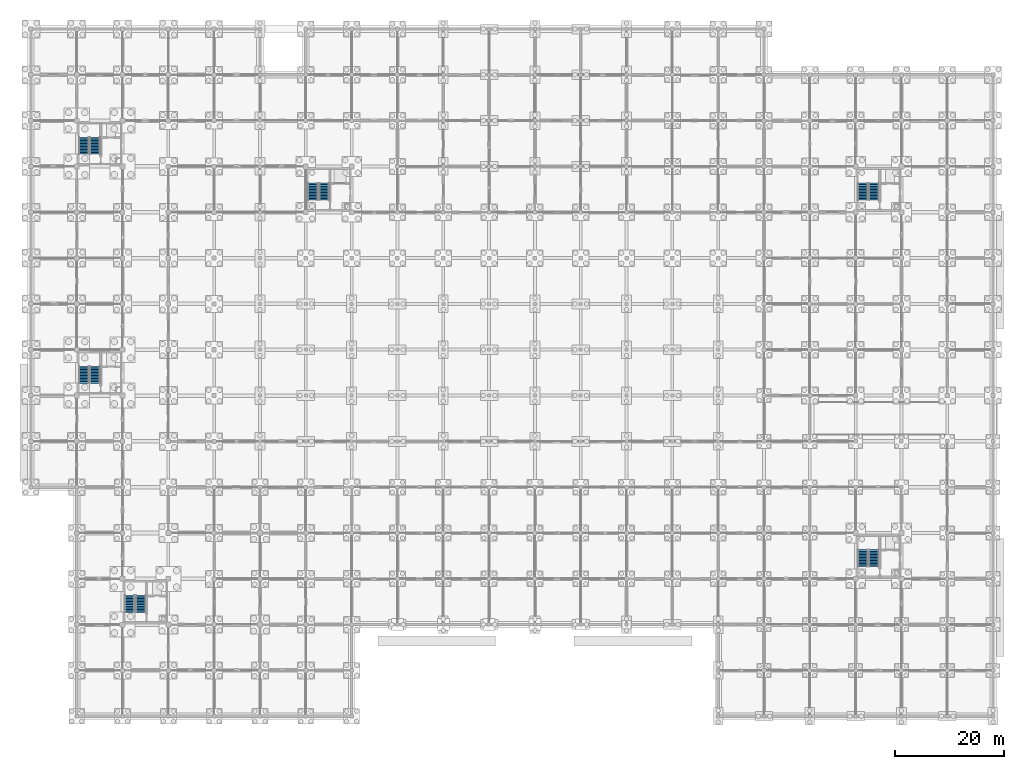
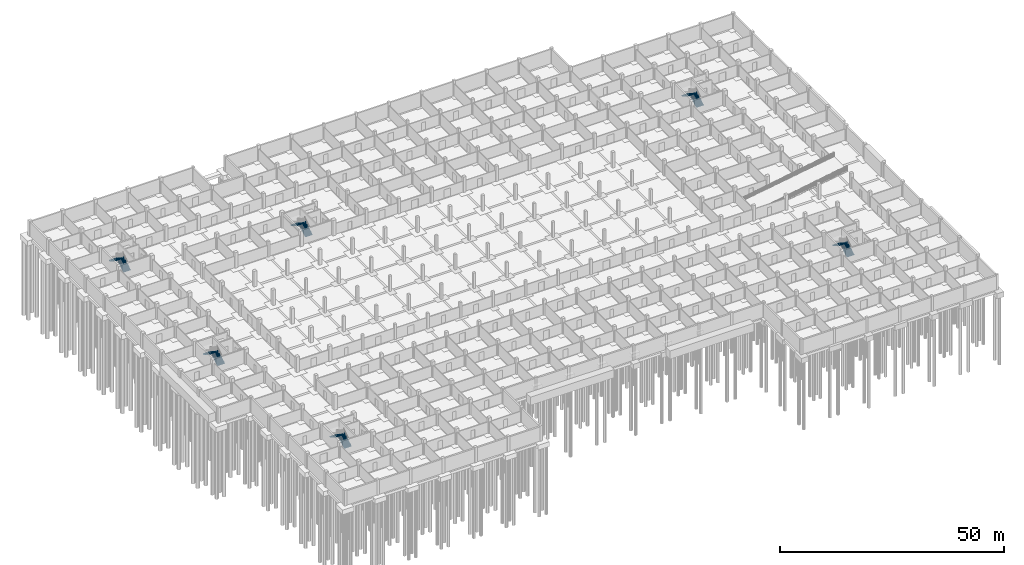
# One storey, part 38 of 43: 12 stair flights, 6 elements without a shape of their own.
"""IFC4 building model written with IfcOpenShell, lengths in metres."""

from ifc_helpers import new_model, si_unit, direction, frame, origin, place, context, subcontext, project, spatial, polyline, outline, extrude, material, type_object, element, aggregate, save


model = new_model("IFC4")

# Units and contexts
model_context = context("Model", 3, precision=1e-05, world=origin(), true_north=direction((0.0, 1.0)))
body_context = subcontext(model_context, "Body", "Model", "MODEL_VIEW")
ifc_project = project(units=[si_unit("LENGTHUNIT", "METRE"), si_unit("AREAUNIT", "SQUARE_METRE"), si_unit("VOLUMEUNIT", "CUBIC_METRE"), si_unit("PLANEANGLEUNIT", "RADIAN"), si_unit("MASSUNIT", "GRAM", prefix="KILO")], contexts=[model_context])

# Site, building, storey
site_placement = place(None, origin())
site = spatial("IfcSite", under=ifc_project, at=site_placement, CompositionType="ELEMENT")
building_placement = place(site_placement, origin())
building = spatial("IfcBuilding", under=site, at=building_placement, Name="Varnapada Polytechnic", CompositionType="ELEMENT")
storey_placement = place(building_placement, frame((0.0, 0.0, -4.199951171875)))
storey = spatial("IfcBuildingStorey", under=building, at=storey_placement, Name="B1", CompositionType="ELEMENT", Elevation=-4.199951171875)

# Stair, stair flights
ifc_material = material(Name="Concrete C40/50", Category="concrete")
stair_type_1 = type_object("IfcStairType", Name="Core Exit Stair ST-A", PredefinedType="HALF_TURN_STAIR", material=ifc_material)
stair_1_placement = place(storey_placement, origin())
stair_1 = element("IfcStair", 1, at=stair_1_placement, inside=storey, type_object=stair_type_1, Name="B1 Core C1 Exit Stair", PredefinedType="HALF_TURN_STAIR")
stair_flight_type = type_object("IfcStairFlightType", Name="Stair Flight SFL-01", PredefinedType="STRAIGHT", material=ifc_material)
stair_flight_1_placement = place(storey_placement, frame((11.77490234375, 103.050048828125, 0.0), z_axis=(0.0, 0.0, 1.0), x_axis=(0.0, 1.0, 0.0)))
stair_flight_1 = element("IfcStairFlight", 2, at=stair_flight_1_placement, type_object=stair_flight_type, Name="ST-1 flight 1", NumberOfRisers=12, NumberOfTreads=11, PredefinedType="STRAIGHT", RiserHeight=0.175, TreadLength=0.28, context=body_context, shape_type="SweptSolid", body=[
    extrude(outline(polyline([(0.0, 0.0), (0.0, 0.175048828125), (0.280029296875, 0.175048828125), (0.280029296875, 0.35009765625), (0.56005859375, 0.35009765625), (0.56005859375, 0.52490234375), (0.840087890625, 0.52490234375), (0.840087890625, 0.699951171875), (1.1201171875, 0.699951171875), (1.1201171875, 0.875), (1.39990234375, 0.875), (1.39990234375, 1.050048828125), (1.679931640625, 1.050048828125), (1.679931640625, 1.22509765625), (1.9599609375, 1.22509765625), (1.9599609375, 1.39990234375), (2.239990234375, 1.39990234375), (2.239990234375, 1.574951171875), (2.52001953125, 1.574951171875), (2.52001953125, 1.75), (2.800048828125, 1.75), (2.800048828125, 1.925048828125), (3.080078125, 1.925048828125), (3.080078125, 2.10009765625), (3.080078125, 1.712890625), (0.339599609375, 0.0), (0.0, 0.0)])), frame((0.0, 0.925048828125, 0.0), z_axis=(0.0, -1.0, 0.0), x_axis=(1.0, 0.0, 0.0)), (0.0, 0.0, 1.0), 1.85009765625),
])
stair_flight_2_placement = place(storey_placement, frame((9.72509765625, 106.1298828125, 2.099853515625), z_axis=(0.0, 0.0, 1.0), x_axis=(0.0, -1.0, 0.0)))
stair_flight_2 = element("IfcStairFlight", 3, at=stair_flight_2_placement, type_object=stair_flight_type, Name="ST-1 flight 2", NumberOfRisers=12, NumberOfTreads=11, PredefinedType="STRAIGHT", RiserHeight=0.175, TreadLength=0.28, context=body_context, shape_type="SweptSolid", body=[
    extrude(outline(polyline([(0.0, 0.0), (0.0, 0.175048828125), (0.280029296875, 0.175048828125), (0.280029296875, 0.35009765625), (0.56005859375, 0.35009765625), (0.56005859375, 0.52490234375), (0.840087890625, 0.52490234375), (0.840087890625, 0.699951171875), (1.1201171875, 0.699951171875), (1.1201171875, 0.875), (1.39990234375, 0.875), (1.39990234375, 1.050048828125), (1.679931640625, 1.050048828125), (1.679931640625, 1.22509765625), (1.9599609375, 1.22509765625), (1.9599609375, 1.39990234375), (2.239990234375, 1.39990234375), (2.239990234375, 1.574951171875), (2.52001953125, 1.574951171875), (2.52001953125, 1.75), (2.800048828125, 1.75), (2.800048828125, 1.925048828125), (3.080078125, 1.925048828125), (3.080078125, 2.10009765625), (3.080078125, 1.712890625), (0.339599609375, 0.0), (0.0, 0.0)])), frame((0.0, 0.925048828125, 0.0), z_axis=(0.0, -1.0, 0.0), x_axis=(1.0, 0.0, 0.0)), (0.0, 0.0, 1.0), 1.85009765625),
])
aggregate(stair_1, [stair_flight_1, stair_flight_2])

stair_2_placement = place(storey_placement, origin())
stair_2 = element("IfcStair", 4, at=stair_2_placement, inside=storey, type_object=stair_type_1, Name="B1 Core C2 Exit Stair", PredefinedType="HALF_TURN_STAIR")
stair_flight_3_placement = place(storey_placement, frame((11.77490234375, 61.050048828125, 0.0), z_axis=(0.0, 0.0, 1.0), x_axis=(0.0, 1.0, 0.0)))
stair_flight_3 = element("IfcStairFlight", 5, at=stair_flight_3_placement, type_object=stair_flight_type, Name="ST-2 flight 1", NumberOfRisers=12, NumberOfTreads=11, PredefinedType="STRAIGHT", RiserHeight=0.175, TreadLength=0.28, context=body_context, shape_type="SweptSolid", body=[
    extrude(outline(polyline([(0.0, 0.0), (0.0, 0.175048828125), (0.280029296875, 0.175048828125), (0.280029296875, 0.35009765625), (0.56005859375, 0.35009765625), (0.56005859375, 0.52490234375), (0.840087890625, 0.52490234375), (0.840087890625, 0.699951171875), (1.1201171875, 0.699951171875), (1.1201171875, 0.875), (1.39990234375, 0.875), (1.39990234375, 1.050048828125), (1.679931640625, 1.050048828125), (1.679931640625, 1.22509765625), (1.9599609375, 1.22509765625), (1.9599609375, 1.39990234375), (2.239990234375, 1.39990234375), (2.239990234375, 1.574951171875), (2.52001953125, 1.574951171875), (2.52001953125, 1.75), (2.800048828125, 1.75), (2.800048828125, 1.925048828125), (3.080078125, 1.925048828125), (3.080078125, 2.10009765625), (3.080078125, 1.712890625), (0.339599609375, 0.0), (0.0, 0.0)])), frame((0.0, 0.925048828125, 0.0), z_axis=(0.0, -1.0, 0.0), x_axis=(1.0, 0.0, 0.0)), (0.0, 0.0, 1.0), 1.85009765625),
])
stair_flight_4_placement = place(storey_placement, frame((9.72509765625, 64.1298828125, 2.099853515625), z_axis=(0.0, 0.0, 1.0), x_axis=(0.0, -1.0, 0.0)))
stair_flight_4 = element("IfcStairFlight", 6, at=stair_flight_4_placement, type_object=stair_flight_type, Name="ST-2 flight 2", NumberOfRisers=12, NumberOfTreads=11, PredefinedType="STRAIGHT", RiserHeight=0.175, TreadLength=0.28, context=body_context, shape_type="SweptSolid", body=[
    extrude(outline(polyline([(0.0, 0.0), (0.0, 0.175048828125), (0.280029296875, 0.175048828125), (0.280029296875, 0.35009765625), (0.56005859375, 0.35009765625), (0.56005859375, 0.52490234375), (0.840087890625, 0.52490234375), (0.840087890625, 0.699951171875), (1.1201171875, 0.699951171875), (1.1201171875, 0.875), (1.39990234375, 0.875), (1.39990234375, 1.050048828125), (1.679931640625, 1.050048828125), (1.679931640625, 1.22509765625), (1.9599609375, 1.22509765625), (1.9599609375, 1.39990234375), (2.239990234375, 1.39990234375), (2.239990234375, 1.574951171875), (2.52001953125, 1.574951171875), (2.52001953125, 1.75), (2.800048828125, 1.75), (2.800048828125, 1.925048828125), (3.080078125, 1.925048828125), (3.080078125, 2.10009765625), (3.080078125, 1.712890625), (0.339599609375, 0.0), (0.0, 0.0)])), frame((0.0, 0.925048828125, 0.0), z_axis=(0.0, -1.0, 0.0), x_axis=(1.0, 0.0, 0.0)), (0.0, 0.0, 1.0), 1.85009765625),
])
aggregate(stair_2, [stair_flight_3, stair_flight_4])

stair_3_placement = place(storey_placement, origin())
stair_3 = element("IfcStair", 7, at=stair_3_placement, inside=storey, type_object=stair_type_1, Name="B1 Core C3 Exit Stair", PredefinedType="HALF_TURN_STAIR")
stair_flight_5_placement = place(storey_placement, frame((20.175048828125, 19.050048828125, 0.0), z_axis=(0.0, 0.0, 1.0), x_axis=(0.0, 1.0, 0.0)))
stair_flight_5 = element("IfcStairFlight", 8, at=stair_flight_5_placement, type_object=stair_flight_type, Name="ST-3 flight 1", NumberOfRisers=12, NumberOfTreads=11, PredefinedType="STRAIGHT", RiserHeight=0.175, TreadLength=0.28, context=body_context, shape_type="SweptSolid", body=[
    extrude(outline(polyline([(0.0, 0.0), (0.0, 0.175048828125), (0.280029296875, 0.175048828125), (0.280029296875, 0.35009765625), (0.56005859375, 0.35009765625), (0.56005859375, 0.52490234375), (0.840087890625, 0.52490234375), (0.840087890625, 0.699951171875), (1.1201171875, 0.699951171875), (1.1201171875, 0.875), (1.39990234375, 0.875), (1.39990234375, 1.050048828125), (1.679931640625, 1.050048828125), (1.679931640625, 1.22509765625), (1.9599609375, 1.22509765625), (1.9599609375, 1.39990234375), (2.239990234375, 1.39990234375), (2.239990234375, 1.574951171875), (2.52001953125, 1.574951171875), (2.52001953125, 1.75), (2.800048828125, 1.75), (2.800048828125, 1.925048828125), (3.080078125, 1.925048828125), (3.080078125, 2.10009765625), (3.080078125, 1.712890625), (0.339599609375, 0.0), (0.0, 0.0)])), frame((0.0, 0.925048828125, 0.0), z_axis=(0.0, -1.0, 0.0), x_axis=(1.0, 0.0, 0.0)), (0.0, 0.0, 1.0), 1.85009765625),
])
stair_flight_6_placement = place(storey_placement, frame((18.125, 22.1298828125, 2.099853515625), z_axis=(0.0, 0.0, 1.0), x_axis=(0.0, -1.0, 0.0)))
stair_flight_6 = element("IfcStairFlight", 9, at=stair_flight_6_placement, type_object=stair_flight_type, Name="ST-3 flight 2", NumberOfRisers=12, NumberOfTreads=11, PredefinedType="STRAIGHT", RiserHeight=0.175, TreadLength=0.28, context=body_context, shape_type="SweptSolid", body=[
    extrude(outline(polyline([(0.0, 0.0), (0.0, 0.175048828125), (0.280029296875, 0.175048828125), (0.280029296875, 0.35009765625), (0.56005859375, 0.35009765625), (0.56005859375, 0.52490234375), (0.840087890625, 0.52490234375), (0.840087890625, 0.699951171875), (1.1201171875, 0.699951171875), (1.1201171875, 0.875), (1.39990234375, 0.875), (1.39990234375, 1.050048828125), (1.679931640625, 1.050048828125), (1.679931640625, 1.22509765625), (1.9599609375, 1.22509765625), (1.9599609375, 1.39990234375), (2.239990234375, 1.39990234375), (2.239990234375, 1.574951171875), (2.52001953125, 1.574951171875), (2.52001953125, 1.75), (2.800048828125, 1.75), (2.800048828125, 1.925048828125), (3.080078125, 1.925048828125), (3.080078125, 2.10009765625), (3.080078125, 1.712890625), (0.339599609375, 0.0), (0.0, 0.0)])), frame((0.0, 0.925048828125, 0.0), z_axis=(0.0, -1.0, 0.0), x_axis=(1.0, 0.0, 0.0)), (0.0, 0.0, 1.0), 1.85009765625),
])
aggregate(stair_3, [stair_flight_5, stair_flight_6])

stair_type_2 = type_object("IfcStairType", Name="Core Exit Stair ST-B", PredefinedType="HALF_TURN_STAIR", material=ifc_material)
stair_4_placement = place(storey_placement, origin())
stair_4 = element("IfcStair", 10, at=stair_4_placement, inside=storey, type_object=stair_type_2, Name="B1 Core C4 Exit Stair", PredefinedType="HALF_TURN_STAIR")
stair_flight_7_placement = place(storey_placement, frame((53.77490234375, 94.64990234375, 0.0), z_axis=(0.0, 0.0, 1.0), x_axis=(0.0, 1.0, 0.0)))
stair_flight_7 = element("IfcStairFlight", 11, at=stair_flight_7_placement, type_object=stair_flight_type, Name="ST-4 flight 1", NumberOfRisers=12, NumberOfTreads=11, PredefinedType="STRAIGHT", RiserHeight=0.175, TreadLength=0.28, context=body_context, shape_type="SweptSolid", body=[
    extrude(outline(polyline([(0.0, 0.0), (0.0, 0.175048828125), (0.280029296875, 0.175048828125), (0.280029296875, 0.35009765625), (0.56005859375, 0.35009765625), (0.56005859375, 0.52490234375), (0.840087890625, 0.52490234375), (0.840087890625, 0.699951171875), (1.1201171875, 0.699951171875), (1.1201171875, 0.875), (1.39990234375, 0.875), (1.39990234375, 1.050048828125), (1.679931640625, 1.050048828125), (1.679931640625, 1.22509765625), (1.9599609375, 1.22509765625), (1.9599609375, 1.39990234375), (2.239990234375, 1.39990234375), (2.239990234375, 1.574951171875), (2.52001953125, 1.574951171875), (2.52001953125, 1.75), (2.800048828125, 1.75), (2.800048828125, 1.925048828125), (3.080078125, 1.925048828125), (3.080078125, 2.10009765625), (3.080078125, 1.712890625), (0.339599609375, 0.0), (0.0, 0.0)])), frame((0.0, 0.925048828125, 0.0), z_axis=(0.0, -1.0, 0.0), x_axis=(1.0, 0.0, 0.0)), (0.0, 0.0, 1.0), 1.85009765625),
])
stair_flight_8_placement = place(storey_placement, frame((51.72509765625, 97.72998046875, 2.099853515625), z_axis=(0.0, 0.0, 1.0), x_axis=(0.0, -1.0, 0.0)))
stair_flight_8 = element("IfcStairFlight", 12, at=stair_flight_8_placement, type_object=stair_flight_type, Name="ST-4 flight 2", NumberOfRisers=12, NumberOfTreads=11, PredefinedType="STRAIGHT", RiserHeight=0.175, TreadLength=0.28, context=body_context, shape_type="SweptSolid", body=[
    extrude(outline(polyline([(0.0, 0.0), (0.0, 0.175048828125), (0.280029296875, 0.175048828125), (0.280029296875, 0.35009765625), (0.56005859375, 0.35009765625), (0.56005859375, 0.52490234375), (0.840087890625, 0.52490234375), (0.840087890625, 0.699951171875), (1.1201171875, 0.699951171875), (1.1201171875, 0.875), (1.39990234375, 0.875), (1.39990234375, 1.050048828125), (1.679931640625, 1.050048828125), (1.679931640625, 1.22509765625), (1.9599609375, 1.22509765625), (1.9599609375, 1.39990234375), (2.239990234375, 1.39990234375), (2.239990234375, 1.574951171875), (2.52001953125, 1.574951171875), (2.52001953125, 1.75), (2.800048828125, 1.75), (2.800048828125, 1.925048828125), (3.080078125, 1.925048828125), (3.080078125, 2.10009765625), (3.080078125, 1.712890625), (0.339599609375, 0.0), (0.0, 0.0)])), frame((0.0, 0.925048828125, 0.0), z_axis=(0.0, -1.0, 0.0), x_axis=(1.0, 0.0, 0.0)), (0.0, 0.0, 1.0), 1.85009765625),
])
aggregate(stair_4, [stair_flight_7, stair_flight_8])

stair_5_placement = place(storey_placement, origin())
stair_5 = element("IfcStair", 13, at=stair_5_placement, inside=storey, type_object=stair_type_2, Name="B1 Core C5 Exit Stair", PredefinedType="HALF_TURN_STAIR")
stair_flight_9_placement = place(storey_placement, frame((154.574951171875, 94.64990234375, 0.0), z_axis=(0.0, 0.0, 1.0), x_axis=(0.0, 1.0, 0.0)))
stair_flight_9 = element("IfcStairFlight", 14, at=stair_flight_9_placement, type_object=stair_flight_type, Name="ST-5 flight 1", NumberOfRisers=12, NumberOfTreads=11, PredefinedType="STRAIGHT", RiserHeight=0.175, TreadLength=0.28, context=body_context, shape_type="SweptSolid", body=[
    extrude(outline(polyline([(0.0, 0.0), (0.0, 0.175048828125), (0.280029296875, 0.175048828125), (0.280029296875, 0.35009765625), (0.56005859375, 0.35009765625), (0.56005859375, 0.52490234375), (0.840087890625, 0.52490234375), (0.840087890625, 0.699951171875), (1.1201171875, 0.699951171875), (1.1201171875, 0.875), (1.39990234375, 0.875), (1.39990234375, 1.050048828125), (1.679931640625, 1.050048828125), (1.679931640625, 1.22509765625), (1.9599609375, 1.22509765625), (1.9599609375, 1.39990234375), (2.239990234375, 1.39990234375), (2.239990234375, 1.574951171875), (2.52001953125, 1.574951171875), (2.52001953125, 1.75), (2.800048828125, 1.75), (2.800048828125, 1.925048828125), (3.080078125, 1.925048828125), (3.080078125, 2.10009765625), (3.080078125, 1.712890625), (0.339599609375, 0.0), (0.0, 0.0)])), frame((0.0, 0.925048828125, 0.0), z_axis=(0.0, -1.0, 0.0), x_axis=(1.0, 0.0, 0.0)), (0.0, 0.0, 1.0), 1.85009765625),
])
stair_flight_10_placement = place(storey_placement, frame((152.52490234375, 97.72998046875, 2.099853515625), z_axis=(0.0, 0.0, 1.0), x_axis=(0.0, -1.0, 0.0)))
stair_flight_10 = element("IfcStairFlight", 15, at=stair_flight_10_placement, type_object=stair_flight_type, Name="ST-5 flight 2", NumberOfRisers=12, NumberOfTreads=11, PredefinedType="STRAIGHT", RiserHeight=0.175, TreadLength=0.28, context=body_context, shape_type="SweptSolid", body=[
    extrude(outline(polyline([(0.0, 0.0), (0.0, 0.175048828125), (0.280029296875, 0.175048828125), (0.280029296875, 0.35009765625), (0.56005859375, 0.35009765625), (0.56005859375, 0.52490234375), (0.840087890625, 0.52490234375), (0.840087890625, 0.699951171875), (1.1201171875, 0.699951171875), (1.1201171875, 0.875), (1.39990234375, 0.875), (1.39990234375, 1.050048828125), (1.679931640625, 1.050048828125), (1.679931640625, 1.22509765625), (1.9599609375, 1.22509765625), (1.9599609375, 1.39990234375), (2.239990234375, 1.39990234375), (2.239990234375, 1.574951171875), (2.52001953125, 1.574951171875), (2.52001953125, 1.75), (2.800048828125, 1.75), (2.800048828125, 1.925048828125), (3.080078125, 1.925048828125), (3.080078125, 2.10009765625), (3.080078125, 1.712890625), (0.339599609375, 0.0), (0.0, 0.0)])), frame((0.0, 0.925048828125, 0.0), z_axis=(0.0, -1.0, 0.0), x_axis=(1.0, 0.0, 0.0)), (0.0, 0.0, 1.0), 1.85009765625),
])
aggregate(stair_5, [stair_flight_9, stair_flight_10])

stair_6_placement = place(storey_placement, origin())
stair_6 = element("IfcStair", 16, at=stair_6_placement, inside=storey, type_object=stair_type_2, Name="B1 Core C6 Exit Stair", PredefinedType="HALF_TURN_STAIR")
stair_flight_11_placement = place(storey_placement, frame((154.574951171875, 27.449951171875, 0.0), z_axis=(0.0, 0.0, 1.0), x_axis=(0.0, 1.0, 0.0)))
stair_flight_11 = element("IfcStairFlight", 17, at=stair_flight_11_placement, type_object=stair_flight_type, Name="ST-6 flight 1", NumberOfRisers=12, NumberOfTreads=11, PredefinedType="STRAIGHT", RiserHeight=0.175, TreadLength=0.28, context=body_context, shape_type="SweptSolid", body=[
    extrude(outline(polyline([(0.0, 0.0), (0.0, 0.175048828125), (0.280029296875, 0.175048828125), (0.280029296875, 0.35009765625), (0.56005859375, 0.35009765625), (0.56005859375, 0.52490234375), (0.840087890625, 0.52490234375), (0.840087890625, 0.699951171875), (1.1201171875, 0.699951171875), (1.1201171875, 0.875), (1.39990234375, 0.875), (1.39990234375, 1.050048828125), (1.679931640625, 1.050048828125), (1.679931640625, 1.22509765625), (1.9599609375, 1.22509765625), (1.9599609375, 1.39990234375), (2.239990234375, 1.39990234375), (2.239990234375, 1.574951171875), (2.52001953125, 1.574951171875), (2.52001953125, 1.75), (2.800048828125, 1.75), (2.800048828125, 1.925048828125), (3.080078125, 1.925048828125), (3.080078125, 2.10009765625), (3.080078125, 1.712890625), (0.339599609375, 0.0), (0.0, 0.0)])), frame((0.0, 0.925048828125, 0.0), z_axis=(0.0, -1.0, 0.0), x_axis=(1.0, 0.0, 0.0)), (0.0, 0.0, 1.0), 1.85009765625),
])
stair_flight_12_placement = place(storey_placement, frame((152.52490234375, 30.530029296875, 2.099853515625), z_axis=(0.0, 0.0, 1.0), x_axis=(0.0, -1.0, 0.0)))
stair_flight_12 = element("IfcStairFlight", 18, at=stair_flight_12_placement, type_object=stair_flight_type, Name="ST-6 flight 2", NumberOfRisers=12, NumberOfTreads=11, PredefinedType="STRAIGHT", RiserHeight=0.175, TreadLength=0.28, context=body_context, shape_type="SweptSolid", body=[
    extrude(outline(polyline([(0.0, 0.0), (0.0, 0.175048828125), (0.280029296875, 0.175048828125), (0.280029296875, 0.35009765625), (0.56005859375, 0.35009765625), (0.56005859375, 0.52490234375), (0.840087890625, 0.52490234375), (0.840087890625, 0.699951171875), (1.1201171875, 0.699951171875), (1.1201171875, 0.875), (1.39990234375, 0.875), (1.39990234375, 1.050048828125), (1.679931640625, 1.050048828125), (1.679931640625, 1.22509765625), (1.9599609375, 1.22509765625), (1.9599609375, 1.39990234375), (2.239990234375, 1.39990234375), (2.239990234375, 1.574951171875), (2.52001953125, 1.574951171875), (2.52001953125, 1.75), (2.800048828125, 1.75), (2.800048828125, 1.925048828125), (3.080078125, 1.925048828125), (3.080078125, 2.10009765625), (3.080078125, 1.712890625), (0.339599609375, 0.0), (0.0, 0.0)])), frame((0.0, 0.925048828125, 0.0), z_axis=(0.0, -1.0, 0.0), x_axis=(1.0, 0.0, 0.0)), (0.0, 0.0, 1.0), 1.85009765625),
])
aggregate(stair_6, [stair_flight_11, stair_flight_12])

save(model, "model.ifc")
